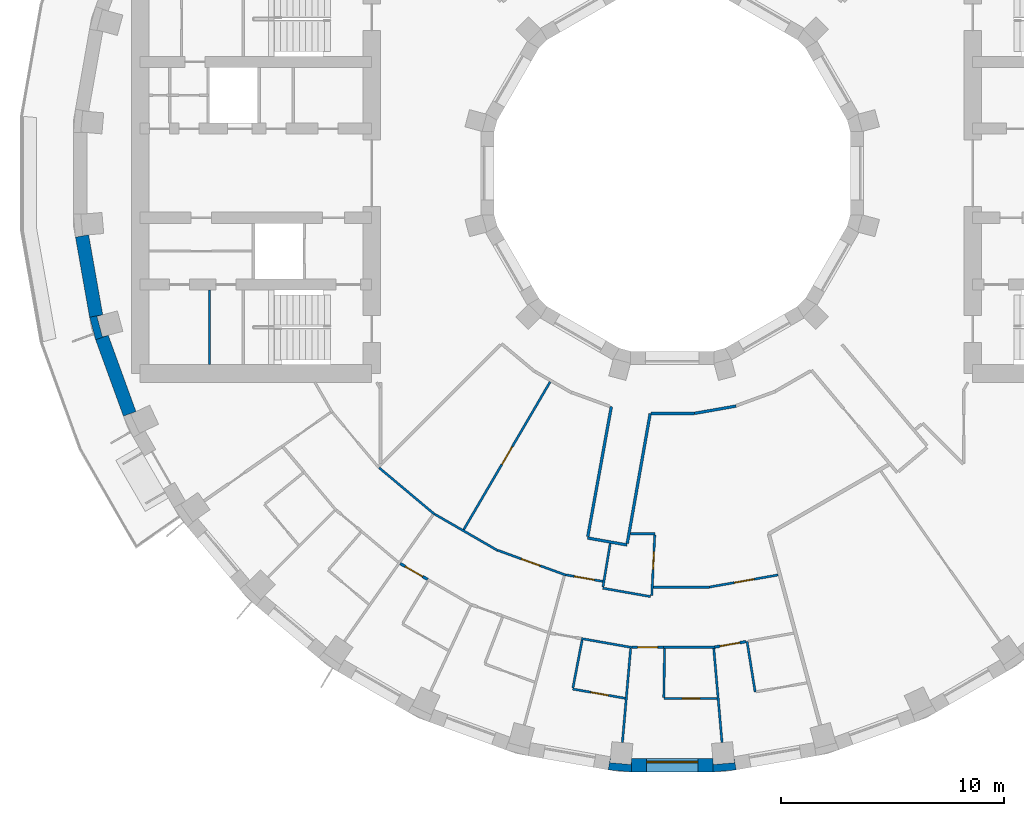
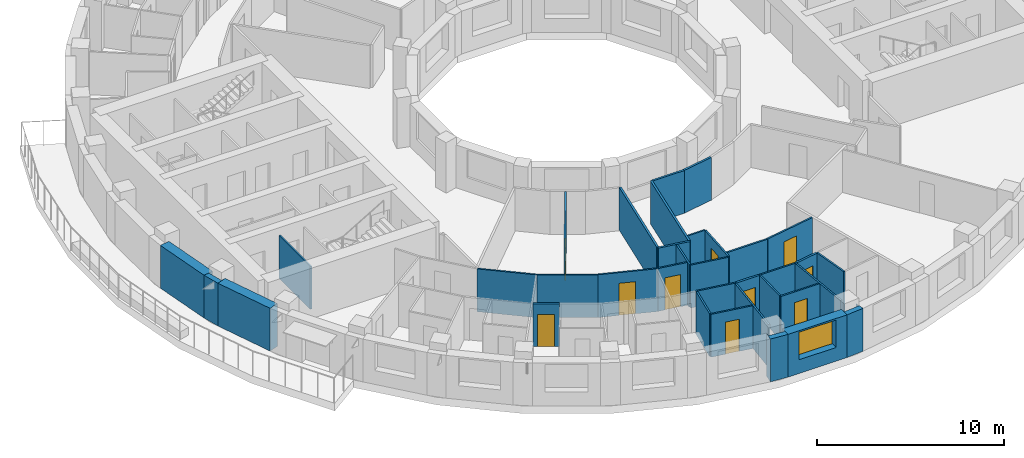
# One storey, part 3 of 13: 35 walls, 10 doors, 1 window, 11 openings.
"""IFC4 building model written with IfcOpenShell, lengths in metres."""

from ifc_helpers import new_model, si_unit, direction, frame, frame_2d, origin, place, context, subcontext, project, spatial, polyline, rectangle, outline, extrude, material, layer, layer_set, type_object, element, fill, save


model = new_model("IFC4")

# Units and contexts
model_context = context("Model", 3, precision=1e-05, world=origin(), true_north=direction((0.0, 1.0)))
body_context = subcontext(model_context, "Body", "Model", "MODEL_VIEW")
ifc_project = project(units=[si_unit("LENGTHUNIT", "METRE"), si_unit("AREAUNIT", "SQUARE_METRE"), si_unit("VOLUMEUNIT", "CUBIC_METRE"), si_unit("PLANEANGLEUNIT", "RADIAN"), si_unit("MASSUNIT", "GRAM", prefix="KILO")], contexts=[model_context])

# Site, building, storey
site_placement = place(None, origin())
site = spatial("IfcSite", under=ifc_project, at=site_placement, CompositionType="ELEMENT")
building_placement = place(site_placement, origin())
building = spatial("IfcBuilding", under=site, at=building_placement, Name="Saqina Gate Tower", CompositionType="ELEMENT")
storey_placement = place(building_placement, frame((0.0, 0.0, 118.300048828125)))
storey = spatial("IfcBuildingStorey", under=building, at=storey_placement, Name="L33", CompositionType="ELEMENT", Elevation=118.300048828125)

# Walls
ifc_material_1 = material(Name="Brick masonry (buff)", Category="masonry")
wall_type_1 = type_object("IfcWallType", Name="BRICK PIER COPING BUFF", PredefinedType="SOLIDWALL", material=ifc_material_1)
wall_1_placement = place(storey_placement, origin())
element("IfcWall", 1, at=wall_1_placement, inside=storey, type_object=wall_type_1, Name="Pier cap L33 column 20", PredefinedType="SOLIDWALL", context=body_context, shape_type="SweptSolid", body=[
    extrude(outline(polyline([(-26.171875, -6.466796875), (-25.89892578125, -7.485595703125), (-25.335205078125, -7.2802734375), (-25.5947265625, -7.349853515625), (-25.8408203125, -6.43212890625), (-25.5810546875, -6.36279296875), (-26.171875, -6.466796875)])), origin(), (0.0, 0.0, 1.0), 2.800048828125),
])
wall_2_placement = place(storey_placement, origin())
element("IfcWall", 2, at=wall_2_placement, inside=storey, type_object=wall_type_1, Name="Pier cap L33 column 27", PredefinedType="SOLIDWALL", context=body_context, shape_type="SweptSolid", body=[
    extrude(outline(polyline([(-2.87451171875, -26.805419921875), (-1.823974609375, -26.897216796875), (-1.823974609375, -26.29736328125), (-1.847412109375, -26.565185546875), (-2.793701171875, -26.482421875), (-2.770263671875, -26.214599609375), (-2.87451171875, -26.805419921875)])), origin(), (0.0, 0.0, 1.0), 2.800048828125),
])
wall_3_placement = place(storey_placement, origin())
element("IfcWall", 3, at=wall_3_placement, inside=storey, type_object=wall_type_1, Name="Pier cap L33 column 28", PredefinedType="SOLIDWALL", context=body_context, shape_type="SweptSolid", body=[
    extrude(outline(polyline([(2.87451171875, -26.805419921875), (2.770263671875, -26.214599609375), (2.793701171875, -26.482421875), (1.847412109375, -26.565185546875), (1.823974609375, -26.29736328125), (1.823974609375, -26.897216796875), (2.87451171875, -26.805419921875)])), origin(), (0.0, 0.0, 1.0), 2.800048828125),
])
ifc_material_2 = material(Name="Gypsum board on steel studs", Category="steel")
ifc_layer_1 = layer(ifc_material_2, 0.10009765625)
ifc_layer_set_1 = layer_set([ifc_layer_1], Name="CORE PARTITION")
wall_type_2 = type_object("IfcWallType", Name="CORE PARTITION", PredefinedType="PARTITIONING", material=ifc_layer_set_1)
wall_4_placement = place(storey_placement, frame((-20.782958984375, -8.60009765625, 0.0), z_axis=(0.0, 0.0, 1.0), x_axis=(0.0, 1.0, 0.0)))
element("IfcWall", 4, at=wall_4_placement, inside=storey, type_object=wall_type_2, Name="L33-CP-W13", PredefinedType="PARTITIONING", context=body_context, shape_type="SweptSolid", body=[
    extrude(rectangle(XDim=3.35009765625, YDim=0.10009765625, at=frame_2d((1.675048828125, 0.0))), origin(), (0.0, 0.0, 1.0), 2.800048828125),
])

# Wall, opening, window
ifc_material_3 = material(Name="Brick masonry (buff)", Category="masonry")
ifc_layer_2 = layer(ifc_material_3, 0.60009765625)
ifc_layer_set_2 = layer_set([ifc_layer_2], Name="FW-BRICK-BUFF")
wall_type_3 = type_object("IfcWallType", Name="FW-BRICK-BUFF", PredefinedType="SOLIDWALL", material=ifc_layer_set_2)
wall_5_placement = place(storey_placement, frame((-1.823974609375, -26.59716796875, 0.0), z_axis=(0.0, 0.0, 1.0), x_axis=(1.0, 0.0, 0.0)))
wall_5 = element("IfcWall", 5, at=wall_5_placement, inside=storey, type_object=wall_type_3, Name="Facade wall L33 facet 27", PredefinedType="SOLIDWALL", context=body_context, shape_type="SweptSolid", body=[
    extrude(rectangle(XDim=3.64794921875, YDim=0.60009765625, at=frame_2d((1.823974609375, 0.0))), origin(), (0.0, 0.0, 1.0), 2.800048828125),
])
opening_1_placement = place(wall_5_placement, frame((0.673828125, 0.0, 0.89990234375)))
opening_1 = element("IfcOpeningElement", 6, at=opening_1_placement, cuts=wall_5, Name="Opening G09-W19", PredefinedType="OPENING", context=body_context, shape_type="SweptSolid", body=[
    extrude(rectangle(XDim=2.300048828125, YDim=1.800048828125, at=frame_2d((1.14990234375, 0.89990234375))), frame((0.0, 0.31201171875, 0.0), z_axis=(0.0, -1.0, 0.0), x_axis=(1.0, 0.0, 0.0)), (0.0, 0.0, 1.0), 0.6240234375),
])
ifc_material_4 = material(Name="Aluminium glazing", Category="aluminium")
window_type = type_object("IfcWindowType", Name="WN-B", PartitioningType="SINGLE_PANEL", PredefinedType="WINDOW", material=ifc_material_4)
window_placement = place(opening_1_placement, origin())
window = element("IfcWindow", 7, at=window_placement, inside=storey, type_object=window_type, Name="Window L33 facet 27", OverallHeight=1.800048828125, OverallWidth=2.300048828125, PartitioningType="SINGLE_PANEL", PredefinedType="WINDOW", context=body_context, shape_type="SweptSolid", body=[
    extrude(rectangle(XDim=2.300048828125, YDim=1.800048828125, at=frame_2d((1.14990234375, 0.89990234375))), frame((0.0, 0.179931640625, 0.0), z_axis=(0.0, -1.0, 0.0), x_axis=(1.0, 0.0, 0.0)), (0.0, 0.0, 1.0), 0.06005859375),
])
fill(opening_1, window)

# Walls
ifc_material_5 = material(Name="Glazed ceramic tile", Category="ceramic")
ifc_layer_3 = layer(ifc_material_5, 0.60009765625)
ifc_layer_set_3 = layer_set([ifc_layer_3], Name="FW-TILE")
wall_type_4 = type_object("IfcWallType", Name="FW-TILE", PredefinedType="SOLIDWALL", material=ifc_layer_set_3)
wall_6_placement = place(storey_placement, frame((-25.616943359375, -7.3828125, 0.0), z_axis=(0.0, 0.0, 1.0), x_axis=(0.341990236633, -0.939703505393, 0.0)))
element("IfcWall", 8, at=wall_6_placement, inside=storey, type_object=wall_type_4, Name="Facade wall L33 facet 20", PredefinedType="SOLIDWALL", context=body_context, shape_type="SweptSolid", body=[
    extrude(rectangle(XDim=3.64794921875, YDim=0.60009765625, at=frame_2d((1.823974609375, 0.0))), origin(), (0.0, 0.0, 1.0), 2.800048828125),
])
ifc_material_6 = material(Name="Glazed ceramic tile (white)", Category="ceramic")
ifc_layer_4 = layer(ifc_material_6, 0.60009765625)
ifc_layer_set_4 = layer_set([ifc_layer_4], Name="FW-TILE-WH")
wall_type_5 = type_object("IfcWallType", Name="FW-TILE-WH", PredefinedType="SOLIDWALL", material=ifc_layer_set_4)
wall_7_placement = place(storey_placement, frame((-26.510009765625, -2.822265625, 0.0), z_axis=(0.0, 0.0, 1.0), x_axis=(0.173670796382, -0.984803764455, 0.0)))
element("IfcWall", 9, at=wall_7_placement, inside=storey, type_object=wall_type_5, Name="Facade wall L33 facet 19", PredefinedType="SOLIDWALL", context=body_context, shape_type="SweptSolid", body=[
    extrude(rectangle(XDim=3.64794921875, YDim=0.60009765625, at=frame_2d((1.823974609375, 0.0))), origin(), (0.0, 0.0, 1.0), 2.800048828125),
])
ifc_material_7 = material(Name="Gypsum board on steel studs, 100 mm", Category="steel")
ifc_layer_5 = layer(ifc_material_7, 0.10009765625)
ifc_layer_set_5 = layer_set([ifc_layer_5], Name="PARTITION 100")
wall_type_6 = type_object("IfcWallType", Name="PARTITION 100", PredefinedType="PARTITIONING", material=ifc_layer_set_5)
wall_8_placement = place(storey_placement, frame((1.866455078125, -21.346923828125, 0.0), z_axis=(0.0, 0.0, 1.0), x_axis=(0.087475042973, -0.996166711378, 0.0)))
element("IfcWall", 10, at=wall_8_placement, inside=storey, type_object=wall_type_6, Name="PARTITION PW3-02", PredefinedType="PARTITIONING", context=body_context, shape_type="SweptSolid", body=[
    extrude(rectangle(XDim=4.23681640625, YDim=0.10009765625, at=frame_2d((2.118408203125, 0.0))), origin(), (0.0, 0.0, 1.0), 2.800048828125),
])
wall_9_placement = place(storey_placement, frame((3.362060546875, -21.032958984375, 0.0), z_axis=(0.0, 0.0, 1.0), x_axis=(0.157853871444, -0.987462482968, 0.0)))
element("IfcWall", 11, at=wall_9_placement, inside=storey, type_object=wall_type_6, Name="PARTITION PW3-04", PredefinedType="PARTITIONING", context=body_context, shape_type="SweptSolid", body=[
    extrude(rectangle(XDim=2.2998046875, YDim=0.10009765625, at=frame_2d((1.14990234375, 0.0))), origin(), (0.0, 0.0, 1.0), 2.800048828125),
])
wall_10_placement = place(storey_placement, frame((-13.163818359375, -13.234130859375, 0.0), z_axis=(0.0, 0.0, 1.0), x_axis=(0.766028328168, -0.642806814248, 0.0)))
element("IfcWall", 12, at=wall_10_placement, inside=storey, type_object=wall_type_6, Name="PARTITION PW3-26", PredefinedType="PARTITIONING", context=body_context, shape_type="SweptSolid", body=[
    extrude(rectangle(XDim=3.25537109375, YDim=0.10009765625, at=frame_2d((1.627685546875, 0.0))), origin(), (0.0, 0.0, 1.0), 2.800048828125),
])
wall_11_placement = place(storey_placement, frame((-10.665771484375, -15.319091796875, 0.0), z_axis=(0.0, 0.0, 1.0), x_axis=(0.866019502567, -0.500010221068, 0.0)))
element("IfcWall", 13, at=wall_11_placement, inside=storey, type_object=wall_type_6, Name="PARTITION PW3-33", PredefinedType="PARTITIONING", context=body_context, shape_type="SweptSolid", body=[
    extrude(rectangle(XDim=3.255859375, YDim=0.10009765625, at=frame_2d((1.6279296875, 0.0))), origin(), (0.0, 0.0, 1.0), 2.800048828125),
])

# Wall, opening, door
wall_12_placement = place(storey_placement, frame((-7.843017578125, -16.93798828125, 0.0), z_axis=(0.0, 0.0, 1.0), x_axis=(0.939697033511, -0.34200801922, 0.0)))
wall_12 = element("IfcWall", 14, at=wall_12_placement, inside=storey, type_object=wall_type_6, Name="PARTITION PW3-40", PredefinedType="PARTITIONING", context=body_context, shape_type="SweptSolid", body=[
    extrude(rectangle(XDim=3.255126953125, YDim=0.10009765625, at=frame_2d((1.62744140625, 0.0))), origin(), (0.0, 0.0, 1.0), 2.800048828125),
])
opening_2_placement = place(wall_12_placement, frame((1.127197265625, 0.0, 0.0)))
opening_2 = element("IfcOpeningElement", 15, at=opening_2_placement, cuts=wall_12, Name="Opening G09-D39", PredefinedType="OPENING", context=body_context, shape_type="SweptSolid", body=[
    extrude(rectangle(XDim=0.89990234375, YDim=2.10009765625, at=frame_2d((0.449951171875, 1.050048828125))), frame((0.0, 0.06201171875, 0.0), z_axis=(0.0, -1.0, 0.0), x_axis=(1.0, 0.0, 0.0)), (0.0, 0.0, 1.0), 0.1240234375),
])
ifc_material_8 = material(Name="Timber door leaf, 900 mm", Category="wood")
door_type_1 = type_object("IfcDoorType", Name="DOOR 900 TIMBER", OperationType="SINGLE_SWING_LEFT", PredefinedType="DOOR", material=ifc_material_8)
door_1_placement = place(opening_2_placement, origin())
door_1 = element("IfcDoor", 16, at=door_1_placement, inside=storey, type_object=door_type_1, Name="DOOR G09-D39", OperationType="SINGLE_SWING_LEFT", OverallHeight=2.10009765625, OverallWidth=0.89990234375, PredefinedType="DOOR", context=body_context, shape_type="SweptSolid", body=[
    extrude(rectangle(XDim=0.89990234375, YDim=2.10009765625, at=frame_2d((0.449951171875, 1.050048828125))), frame((0.0, 0.02490234375, 0.0), z_axis=(0.0, -1.0, 0.0), x_axis=(1.0, 0.0, 0.0)), (0.0, 0.0, 1.0), 0.050048828125),
])
fill(opening_2, door_1)

wall_13_placement = place(storey_placement, frame((-4.469970703125, -23.173095703125, 0.0), z_axis=(0.0, 0.0, 1.0), x_axis=(0.984826665662, -0.173540884522, 0.0)))
wall_13 = element("IfcWall", 17, at=wall_13_placement, inside=storey, type_object=wall_type_6, Name="PARTITION PW3-45", PredefinedType="PARTITIONING", context=body_context, shape_type="SweptSolid", body=[
    extrude(rectangle(XDim=2.39306640625, YDim=0.10009765625, at=frame_2d((1.196533203125, 0.0))), origin(), (0.0, 0.0, 1.0), 2.800048828125),
])
opening_3_placement = place(wall_13_placement, frame((0.821533203125, 0.0, 0.0)))
opening_3 = element("IfcOpeningElement", 18, at=opening_3_placement, cuts=wall_13, Name="Opening G09-D43", PredefinedType="OPENING", context=body_context, shape_type="SweptSolid", body=[
    extrude(rectangle(XDim=0.800048828125, YDim=2.10009765625, at=frame_2d((0.39990234375, 1.050048828125))), frame((0.0, 0.06201171875, 0.0), z_axis=(0.0, -1.0, 0.0), x_axis=(1.0, 0.0, 0.0)), (0.0, 0.0, 1.0), 0.1240234375),
])
ifc_material_9 = material(Name="Timber door leaf, 800 mm", Category="wood")
door_type_2 = type_object("IfcDoorType", Name="DOOR 800 TIMBER", OperationType="SINGLE_SWING_LEFT", PredefinedType="DOOR", material=ifc_material_9)
door_2_placement = place(opening_3_placement, frame((0.800048828125, 0.0, 0.0), z_axis=(0.0, 0.0, 1.0), x_axis=(-1.0, 0.0, 0.0)))
door_2 = element("IfcDoor", 19, at=door_2_placement, inside=storey, type_object=door_type_2, Name="DOOR G09-D43", OperationType="SINGLE_SWING_LEFT", OverallHeight=2.10009765625, OverallWidth=0.800048828125, PredefinedType="DOOR", context=body_context, shape_type="SweptSolid", body=[
    extrude(rectangle(XDim=0.800048828125, YDim=2.10009765625, at=frame_2d((0.39990234375, 1.050048828125))), frame((0.0, 0.02490234375, 0.0), z_axis=(0.0, -1.0, 0.0), x_axis=(1.0, 0.0, 0.0)), (0.0, 0.0, 1.0), 0.050048828125),
])
fill(opening_3, door_2)

# Walls
wall_14_placement = place(storey_placement, frame((-4.084228515625, -20.9052734375, 0.0), z_axis=(0.0, 0.0, 1.0), x_axis=(0.984796344358, -0.173712866935, 0.0)))
element("IfcWall", 20, at=wall_14_placement, inside=storey, type_object=wall_type_6, Name="PARTITION PW3-46", PredefinedType="PARTITIONING", context=body_context, shape_type="SweptSolid", body=[
    extrude(rectangle(XDim=2.306396484375, YDim=0.10009765625, at=frame_2d((1.1533203125, 0.0))), origin(), (0.0, 0.0, 1.0), 2.800048828125),
])
wall_15_placement = place(storey_placement, frame((-3.118896484375, -18.64111328125, 0.0), z_axis=(0.0, 0.0, 1.0), x_axis=(0.984804954455, -0.173664048326, 0.0)))
element("IfcWall", 21, at=wall_15_placement, inside=storey, type_object=wall_type_6, Name="PARTITION PW3-47", PredefinedType="PARTITIONING", context=body_context, shape_type="SweptSolid", body=[
    extrude(rectangle(XDim=2.181884765625, YDim=0.10009765625, at=frame_2d((1.0908203125, 0.0))), origin(), (0.0, 0.0, 1.0), 2.800048828125),
])

# Wall, opening, door
wall_16_placement = place(storey_placement, frame((-4.78271484375, -18.042724609375, 0.0), z_axis=(0.0, 0.0, 1.0), x_axis=(0.98477046178, -0.173859534124, 0.0)))
wall_16 = element("IfcWall", 22, at=wall_16_placement, inside=storey, type_object=wall_type_6, Name="PARTITION PW3-48", PredefinedType="PARTITIONING", context=body_context, shape_type="SweptSolid", body=[
    extrude(rectangle(XDim=1.689208984375, YDim=0.10009765625, at=frame_2d((0.8447265625, 0.0))), origin(), (0.0, 0.0, 1.0), 2.800048828125),
])
opening_4_placement = place(wall_16_placement, frame((0.39453125, 0.0, 0.0)))
opening_4 = element("IfcOpeningElement", 23, at=opening_4_placement, cuts=wall_16, Name="Opening G09-D42", PredefinedType="OPENING", context=body_context, shape_type="SweptSolid", body=[
    extrude(rectangle(XDim=0.89990234375, YDim=2.10009765625, at=frame_2d((0.449951171875, 1.050048828125))), frame((0.0, 0.06201171875, 0.0), z_axis=(0.0, -1.0, 0.0), x_axis=(1.0, 0.0, 0.0)), (0.0, 0.0, 1.0), 0.1240234375),
])
door_3_placement = place(opening_4_placement, origin())
door_3 = element("IfcDoor", 24, at=door_3_placement, inside=storey, type_object=door_type_1, Name="DOOR G09-D42", OperationType="SINGLE_SWING_RIGHT", OverallHeight=2.10009765625, OverallWidth=0.89990234375, PredefinedType="DOOR", context=body_context, shape_type="SweptSolid", body=[
    extrude(rectangle(XDim=0.89990234375, YDim=2.10009765625, at=frame_2d((0.449951171875, 1.050048828125))), frame((0.0, 0.02490234375, 0.0), z_axis=(0.0, -1.0, 0.0), x_axis=(1.0, 0.0, 0.0)), (0.0, 0.0, 1.0), 0.050048828125),
])
fill(opening_4, door_3)

wall_17_placement = place(storey_placement, frame((-0.3779296875, -23.596923828125, 0.0), z_axis=(0.0, 0.0, 1.0), x_axis=(1.0, 0.0, 0.0)))
wall_17 = element("IfcWall", 25, at=wall_17_placement, inside=storey, type_object=wall_type_6, Name="PARTITION PW3-51", PredefinedType="PARTITIONING", context=body_context, shape_type="SweptSolid", body=[
    extrude(rectangle(XDim=2.391845703125, YDim=0.10009765625, at=frame_2d((1.19580078125, 0.0))), origin(), (0.0, 0.0, 1.0), 2.800048828125),
])
opening_5_placement = place(wall_17_placement, frame((0.821044921875, 0.0, 0.0)))
opening_5 = element("IfcOpeningElement", 26, at=opening_5_placement, cuts=wall_17, Name="Opening G09-D46", PredefinedType="OPENING", context=body_context, shape_type="SweptSolid", body=[
    extrude(rectangle(XDim=0.800048828125, YDim=2.10009765625, at=frame_2d((0.39990234375, 1.050048828125))), frame((0.0, 0.06201171875, 0.0), z_axis=(0.0, -1.0, 0.0), x_axis=(1.0, 0.0, 0.0)), (0.0, 0.0, 1.0), 0.1240234375),
])
door_4_placement = place(opening_5_placement, frame((0.800048828125, 0.0, 0.0), z_axis=(0.0, 0.0, 1.0), x_axis=(-1.0, 0.0, 0.0)))
door_4 = element("IfcDoor", 27, at=door_4_placement, inside=storey, type_object=door_type_2, Name="DOOR G09-D46", OperationType="SINGLE_SWING_LEFT", OverallHeight=2.10009765625, OverallWidth=0.800048828125, PredefinedType="DOOR", context=body_context, shape_type="SweptSolid", body=[
    extrude(rectangle(XDim=0.800048828125, YDim=2.10009765625, at=frame_2d((0.39990234375, 1.050048828125))), frame((0.0, 0.02490234375, 0.0), z_axis=(0.0, -1.0, 0.0), x_axis=(1.0, 0.0, 0.0)), (0.0, 0.0, 1.0), 0.050048828125),
])
fill(opening_5, door_4)

# Walls
wall_18_placement = place(storey_placement, frame((-0.39111328125, -21.297119140625, 0.0), z_axis=(0.0, 0.0, 1.0), x_axis=(1.0, 0.0, 0.0)))
element("IfcWall", 28, at=wall_18_placement, inside=storey, type_object=wall_type_6, Name="PARTITION PW3-52", PredefinedType="PARTITIONING", context=body_context, shape_type="SweptSolid", body=[
    extrude(rectangle(XDim=2.304931640625, YDim=0.10009765625, at=frame_2d((1.15234375, 0.0))), origin(), (0.0, 0.0, 1.0), 2.800048828125),
])
wall_19_placement = place(storey_placement, frame((-0.84912109375, -18.59912109375, 0.0), z_axis=(0.0, 0.0, 1.0), x_axis=(1.0, 0.0, 0.0)))
element("IfcWall", 29, at=wall_19_placement, inside=storey, type_object=wall_type_6, Name="PARTITION PW3-53", PredefinedType="PARTITIONING", context=body_context, shape_type="SweptSolid", body=[
    extrude(rectangle(XDim=2.52685546875, YDim=0.10009765625, at=frame_2d((1.263427734375, 0.0))), origin(), (0.0, 0.0, 1.0), 2.800048828125),
])
wall_20_placement = place(storey_placement, frame((-1.880615234375, -16.201904296875, 0.0), z_axis=(0.0, 0.0, 1.0), x_axis=(1.0, 0.0, 0.0)))
element("IfcWall", 30, at=wall_20_placement, inside=storey, type_object=wall_type_6, Name="PARTITION PW3-54", PredefinedType="PARTITIONING", context=body_context, shape_type="SweptSolid", body=[
    extrude(rectangle(XDim=1.09765625, YDim=0.10009765625, at=frame_2d((0.548828125, 0.0))), origin(), (0.0, 0.0, 1.0), 2.800048828125),
])

# Wall, opening, door
wall_21_placement = place(storey_placement, frame((1.67626953125, -18.59033203125, 0.0), z_axis=(0.0, 0.0, 1.0), x_axis=(0.984818097546, 0.173589500677, 0.0)))
wall_21 = element("IfcWall", 31, at=wall_21_placement, inside=storey, type_object=wall_type_6, Name="PARTITION PW3-60", PredefinedType="PARTITIONING", context=body_context, shape_type="SweptSolid", body=[
    extrude(rectangle(XDim=3.12939453125, YDim=0.10009765625, at=frame_2d((1.564697265625, 0.0))), origin(), (0.0, 0.0, 1.0), 2.800048828125),
])
opening_6_placement = place(wall_21_placement, frame((1.127197265625, 0.0, 0.0)))
opening_6 = element("IfcOpeningElement", 32, at=opening_6_placement, cuts=wall_21, Name="Opening G09-D48", PredefinedType="OPENING", context=body_context, shape_type="SweptSolid", body=[
    extrude(rectangle(XDim=0.89990234375, YDim=2.10009765625, at=frame_2d((0.449951171875, 1.050048828125))), frame((0.0, 0.06201171875, 0.0), z_axis=(0.0, -1.0, 0.0), x_axis=(1.0, 0.0, 0.0)), (0.0, 0.0, 1.0), 0.1240234375),
])
door_5_placement = place(opening_6_placement, origin())
door_5 = element("IfcDoor", 33, at=door_5_placement, inside=storey, type_object=door_type_1, Name="DOOR G09-D48", OperationType="SINGLE_SWING_RIGHT", OverallHeight=2.10009765625, OverallWidth=0.89990234375, PredefinedType="DOOR", context=body_context, shape_type="SweptSolid", body=[
    extrude(rectangle(XDim=0.89990234375, YDim=2.10009765625, at=frame_2d((0.449951171875, 1.050048828125))), frame((0.0, 0.02490234375, 0.0), z_axis=(0.0, -1.0, 0.0), x_axis=(1.0, 0.0, 0.0)), (0.0, 0.0, 1.0), 0.050048828125),
])
fill(opening_6, door_5)

wall_22_placement = place(storey_placement, frame((-9.36572265625, -16.01171875, 0.0), z_axis=(0.0, 0.0, 1.0), x_axis=(0.504907426376, 0.863173499819, 0.0)))
wall_22 = element("IfcWall", 34, at=wall_22_placement, inside=storey, type_object=wall_type_6, Name="PARTITION PW3-86", PredefinedType="PARTITIONING", context=body_context, shape_type="SweptSolid", body=[
    extrude(rectangle(XDim=7.686767578125, YDim=0.10009765625, at=frame_2d((3.84326171875, 0.0))), origin(), (0.0, 0.0, 1.0), 2.800048828125),
])
opening_7_placement = place(wall_22_placement, frame((3.400390625, 0.0, 0.0)))
opening_7 = element("IfcOpeningElement", 35, at=opening_7_placement, cuts=wall_22, Name="Opening G09-D36", PredefinedType="OPENING", context=body_context, shape_type="SweptSolid", body=[
    extrude(rectangle(XDim=0.89990234375, YDim=2.10009765625, at=frame_2d((0.449951171875, 1.050048828125))), frame((0.0, 0.06201171875, 0.0), z_axis=(0.0, -1.0, 0.0), x_axis=(1.0, 0.0, 0.0)), (0.0, 0.0, 1.0), 0.1240234375),
])
door_6_placement = place(opening_7_placement, frame((0.89990234375, 0.0, 0.0), z_axis=(0.0, 0.0, 1.0), x_axis=(-1.0, 0.0, 0.0)))
door_6 = element("IfcDoor", 36, at=door_6_placement, inside=storey, type_object=door_type_1, Name="DOOR G09-D36", OperationType="SINGLE_SWING_LEFT", OverallHeight=2.10009765625, OverallWidth=0.89990234375, PredefinedType="DOOR", context=body_context, shape_type="SweptSolid", body=[
    extrude(rectangle(XDim=0.89990234375, YDim=2.10009765625, at=frame_2d((0.449951171875, 1.050048828125))), frame((0.0, 0.02490234375, 0.0), z_axis=(0.0, -1.0, 0.0), x_axis=(1.0, 0.0, 0.0)), (0.0, 0.0, 1.0), 0.050048828125),
])
fill(opening_7, door_6)

# Walls
wall_23_placement = place(storey_placement, frame((-4.46044921875, -23.1240234375, 0.0), z_axis=(0.0, 0.0, 1.0), x_axis=(0.189008785522, 0.981975396329, 0.0)))
element("IfcWall", 37, at=wall_23_placement, inside=storey, type_object=wall_type_6, Name="PARTITION PW3-100", PredefinedType="PARTITIONING", context=body_context, shape_type="SweptSolid", body=[
    extrude(rectangle(XDim=2.188232421875, YDim=0.10009765625, at=frame_2d((1.09423828125, 0.0))), origin(), (0.0, 0.0, 1.0), 2.800048828125),
])
wall_24_placement = place(storey_placement, frame((-3.110595703125, -18.590576171875, 0.0), z_axis=(0.0, 0.0, 1.0), x_axis=(0.164837501203, 0.986320737994, 0.0)))
element("IfcWall", 38, at=wall_24_placement, inside=storey, type_object=wall_type_6, Name="PARTITION PW3-101", PredefinedType="PARTITIONING", context=body_context, shape_type="SweptSolid", body=[
    extrude(rectangle(XDim=1.986083984375, YDim=0.10009765625, at=frame_2d((0.9931640625, 0.0))), origin(), (0.0, 0.0, 1.0), 2.800048828125),
])
wall_25_placement = place(storey_placement, frame((-2.237060546875, -25.5673828125, 0.0), z_axis=(0.0, 0.0, 1.0), x_axis=(0.087445126958, 0.9961693379, 0.0)))
element("IfcWall", 39, at=wall_25_placement, inside=storey, type_object=wall_type_6, Name="PARTITION PW3-103", PredefinedType="PARTITIONING", context=body_context, shape_type="SweptSolid", body=[
    extrude(rectangle(XDim=4.22412109375, YDim=0.10009765625, at=frame_2d((2.112060546875, 0.0))), origin(), (0.0, 0.0, 1.0), 2.800048828125),
])

# Wall, opening, door
wall_26_placement = place(storey_placement, frame((-0.917724609375, -18.97900390625, 0.0), z_axis=(0.0, 0.0, 1.0), x_axis=(0.049018559161, 0.998797867868, 0.0)))
wall_26 = element("IfcWall", 40, at=wall_26_placement, inside=storey, type_object=wall_type_6, Name="PARTITION PW3-105", PredefinedType="PARTITIONING", context=body_context, shape_type="SweptSolid", body=[
    extrude(rectangle(XDim=2.729248046875, YDim=0.10009765625, at=frame_2d((1.36474609375, 0.0))), origin(), (0.0, 0.0, 1.0), 2.800048828125),
])
opening_8_placement = place(wall_26_placement, frame((1.179443359375, 0.0, 0.0)))
opening_8 = element("IfcOpeningElement", 41, at=opening_8_placement, cuts=wall_26, Name="Opening G09-D45", PredefinedType="OPENING", context=body_context, shape_type="SweptSolid", body=[
    extrude(rectangle(XDim=0.800048828125, YDim=2.10009765625, at=frame_2d((0.39990234375, 1.050048828125))), frame((0.0, 0.06201171875, 0.0), z_axis=(0.0, -1.0, 0.0), x_axis=(1.0, 0.0, 0.0)), (0.0, 0.0, 1.0), 0.1240234375),
])
door_7_placement = place(opening_8_placement, frame((0.800048828125, 0.0, 0.0), z_axis=(0.0, 0.0, 1.0), x_axis=(-1.0, 0.0, 0.0)))
door_7 = element("IfcDoor", 42, at=door_7_placement, inside=storey, type_object=door_type_2, Name="DOOR G09-D45", OperationType="SINGLE_SWING_LEFT", OverallHeight=2.10009765625, OverallWidth=0.800048828125, PredefinedType="DOOR", context=body_context, shape_type="SweptSolid", body=[
    extrude(rectangle(XDim=0.800048828125, YDim=2.10009765625, at=frame_2d((0.39990234375, 1.050048828125))), frame((0.0, 0.02490234375, 0.0), z_axis=(0.0, -1.0, 0.0), x_axis=(1.0, 0.0, 0.0)), (0.0, 0.0, 1.0), 0.050048828125),
])
fill(opening_8, door_7)

# Wall
wall_27_placement = place(storey_placement, frame((-0.377197265625, -23.547119140625, 0.0), z_axis=(0.0, 0.0, 1.0), x_axis=(0.016067560631, 0.999870908415, 0.0)))
element("IfcWall", 43, at=wall_27_placement, inside=storey, type_object=wall_type_6, Name="PARTITION PW3-106", PredefinedType="PARTITIONING", context=body_context, shape_type="SweptSolid", body=[
    extrude(rectangle(XDim=2.18798828125, YDim=0.10009765625, at=frame_2d((1.093994140625, 0.0))), origin(), (0.0, 0.0, 1.0), 2.800048828125),
])

# Wall, opening, door
ifc_material_10 = material(Name="Gypsum board on steel studs, 125 mm, fire rated", Category="steel")
ifc_layer_6 = layer(ifc_material_10, 0.125)
ifc_layer_set_6 = layer_set([ifc_layer_6], Name="PARTITION EI 30 125")
wall_type_7 = type_object("IfcWallType", Name="PARTITION EI 30 125", PredefinedType="PARTITIONING", material=ifc_layer_set_6)
wall_28_placement = place(storey_placement, frame((-12.21875, -17.537109375, 0.0), z_axis=(0.0, 0.0, 1.0), x_axis=(0.866036909293, -0.499980071345, 0.0)))
wall_28 = element("IfcWall", 44, at=wall_28_placement, inside=storey, type_object=wall_type_7, Name="PARTITION PW1-11", PredefinedType="PARTITIONING", context=body_context, shape_type="SweptSolid", body=[
    extrude(rectangle(XDim=1.421875, YDim=0.125, at=frame_2d((0.7109375, 0.0))), origin(), (0.0, 0.0, 1.0), 2.800048828125),
])
opening_9_placement = place(wall_28_placement, frame((0.260986328125, 0.0, 0.0)))
opening_9 = element("IfcOpeningElement", 45, at=opening_9_placement, cuts=wall_28, Name="Opening G09-D35", PredefinedType="OPENING", context=body_context, shape_type="SweptSolid", body=[
    extrude(rectangle(XDim=0.89990234375, YDim=2.10009765625, at=frame_2d((0.449951171875, 1.050048828125))), frame((0.0, 0.074462890625, 0.0), z_axis=(0.0, -1.0, 0.0), x_axis=(1.0, 0.0, 0.0)), (0.0, 0.0, 1.0), 0.14892578125),
])
ifc_material_11 = material(Name="Fire door leaf EI 30, 900 mm")
door_type_3 = type_object("IfcDoorType", Name="DOOR 900 EI 30", OperationType="SINGLE_SWING_LEFT", PredefinedType="DOOR", material=ifc_material_11)
door_8_placement = place(opening_9_placement, origin())
door_8 = element("IfcDoor", 46, at=door_8_placement, inside=storey, type_object=door_type_3, Name="DOOR G09-D35", OperationType="SINGLE_SWING_LEFT", OverallHeight=2.10009765625, OverallWidth=0.89990234375, PredefinedType="DOOR", context=body_context, shape_type="SweptSolid", body=[
    extrude(rectangle(XDim=0.89990234375, YDim=2.10009765625, at=frame_2d((0.449951171875, 1.050048828125))), frame((0.0, 0.02490234375, 0.0), z_axis=(0.0, -1.0, 0.0), x_axis=(1.0, 0.0, 0.0)), (0.0, 0.0, 1.0), 0.050048828125),
])
fill(opening_9, door_8)

# Wall
wall_29_placement = place(storey_placement, frame((-3.803955078125, -16.387939453125, 0.0), z_axis=(0.0, 0.0, 1.0), x_axis=(0.984772635564, -0.173847220985, 0.0)))
element("IfcWall", 47, at=wall_29_placement, inside=storey, type_object=wall_type_7, Name="PARTITION PW1-20", PredefinedType="PARTITIONING", context=body_context, shape_type="SweptSolid", body=[
    extrude(rectangle(XDim=1.80029296875, YDim=0.125, at=frame_2d((0.900146484375, 0.0))), origin(), (0.0, 0.0, 1.0), 2.800048828125),
])

# Wall, opening, door
wall_30_placement = place(storey_placement, frame((-1.81298828125, -21.297119140625, 0.0), z_axis=(0.0, 0.0, 1.0), x_axis=(1.0, 0.0, 0.0)))
wall_30 = element("IfcWall", 48, at=wall_30_placement, inside=storey, type_object=wall_type_7, Name="PARTITION PW1-23", PredefinedType="PARTITIONING", context=body_context, shape_type="SweptSolid", body=[
    extrude(rectangle(XDim=1.421875, YDim=0.125, at=frame_2d((0.7109375, 0.0))), origin(), (0.0, 0.0, 1.0), 2.800048828125),
])
opening_10_placement = place(wall_30_placement, frame((0.260986328125, 0.0, 0.0)))
opening_10 = element("IfcOpeningElement", 49, at=opening_10_placement, cuts=wall_30, Name="Opening G09-D44", PredefinedType="OPENING", context=body_context, shape_type="SweptSolid", body=[
    extrude(rectangle(XDim=0.89990234375, YDim=2.10009765625, at=frame_2d((0.449951171875, 1.050048828125))), frame((0.0, 0.074462890625, 0.0), z_axis=(0.0, -1.0, 0.0), x_axis=(1.0, 0.0, 0.0)), (0.0, 0.0, 1.0), 0.14892578125),
])
door_9_placement = place(opening_10_placement, origin())
door_9 = element("IfcDoor", 50, at=door_9_placement, inside=storey, type_object=door_type_3, Name="DOOR G09-D44", OperationType="SINGLE_SWING_LEFT", OverallHeight=2.10009765625, OverallWidth=0.89990234375, PredefinedType="DOOR", context=body_context, shape_type="SweptSolid", body=[
    extrude(rectangle(XDim=0.89990234375, YDim=2.10009765625, at=frame_2d((0.449951171875, 1.050048828125))), frame((0.0, 0.02490234375, 0.0), z_axis=(0.0, -1.0, 0.0), x_axis=(1.0, 0.0, 0.0)), (0.0, 0.0, 1.0), 0.050048828125),
])
fill(opening_10, door_9)

# Wall
wall_31_placement = place(storey_placement, frame((-0.945068359375, -10.800048828125, 0.0), z_axis=(0.0, 0.0, 1.0), x_axis=(1.0, 0.0, 0.0)))
element("IfcWall", 51, at=wall_31_placement, inside=storey, type_object=wall_type_7, Name="PARTITION PW1-24", PredefinedType="PARTITIONING", context=body_context, shape_type="SweptSolid", body=[
    extrude(rectangle(XDim=1.95361328125, YDim=0.125, at=frame_2d((0.976806640625, 0.0))), origin(), (0.0, 0.0, 1.0), 2.800048828125),
])

# Wall, opening, door
wall_32_placement = place(storey_placement, frame((1.912353515625, -21.288330078125, 0.0), z_axis=(0.0, 0.0, 1.0), x_axis=(0.984849170905, 0.173413121097, 0.0)))
wall_32 = element("IfcWall", 52, at=wall_32_placement, inside=storey, type_object=wall_type_7, Name="PARTITION PW1-28", PredefinedType="PARTITIONING", context=body_context, shape_type="SweptSolid", body=[
    extrude(rectangle(XDim=1.421875, YDim=0.125, at=frame_2d((0.7109375, 0.0))), origin(), (0.0, 0.0, 1.0), 2.800048828125),
])
opening_11_placement = place(wall_32_placement, frame((0.2373046875, 0.0, 0.0)))
opening_11 = element("IfcOpeningElement", 53, at=opening_11_placement, cuts=wall_32, Name="Opening G09-D47", PredefinedType="OPENING", context=body_context, shape_type="SweptSolid", body=[
    extrude(rectangle(XDim=0.89990234375, YDim=2.10009765625, at=frame_2d((0.449951171875, 1.050048828125))), frame((0.0, 0.074462890625, 0.0), z_axis=(0.0, -1.0, 0.0), x_axis=(1.0, 0.0, 0.0)), (0.0, 0.0, 1.0), 0.14892578125),
])
door_10_placement = place(opening_11_placement, origin())
door_10 = element("IfcDoor", 54, at=door_10_placement, inside=storey, type_object=door_type_3, Name="DOOR G09-D47", OperationType="SINGLE_SWING_LEFT", OverallHeight=2.10009765625, OverallWidth=0.89990234375, PredefinedType="DOOR", context=body_context, shape_type="SweptSolid", body=[
    extrude(rectangle(XDim=0.89990234375, YDim=2.10009765625, at=frame_2d((0.449951171875, 1.050048828125))), frame((0.0, 0.02490234375, 0.0), z_axis=(0.0, -1.0, 0.0), x_axis=(1.0, 0.0, 0.0)), (0.0, 0.0, 1.0), 0.050048828125),
])
fill(opening_11, door_10)

# Walls
wall_33_placement = place(storey_placement, frame((1.006591796875, -10.7890625, 0.0), z_axis=(0.0, 0.0, 1.0), x_axis=(0.984818645033, 0.173586394613, 0.0)))
element("IfcWall", 55, at=wall_33_placement, inside=storey, type_object=wall_type_7, Name="PARTITION PW1-29", PredefinedType="PARTITIONING", context=body_context, shape_type="SweptSolid", body=[
    extrude(rectangle(XDim=1.890380859375, YDim=0.125, at=frame_2d((0.9453125, 0.0))), origin(), (0.0, 0.0, 1.0), 2.800048828125),
])
wall_34_placement = place(storey_placement, frame((-3.79296875, -16.325439453125, 0.0), z_axis=(0.0, 0.0, 1.0), x_axis=(0.178389527964, 0.983959946498, 0.0)))
element("IfcWall", 56, at=wall_34_placement, inside=storey, type_object=wall_type_7, Name="PARTITION PW1-47", PredefinedType="PARTITIONING", context=body_context, shape_type="SweptSolid", body=[
    extrude(rectangle(XDim=5.935546875, YDim=0.125, at=frame_2d((2.9677734375, 0.0))), origin(), (0.0, 0.0, 1.0), 2.800048828125),
])
wall_35_placement = place(storey_placement, frame((-2.020263671875, -16.639404296875, 0.0), z_axis=(0.0, 0.0, 1.0), x_axis=(0.17368681293, 0.984800939791, 0.0)))
element("IfcWall", 57, at=wall_35_placement, inside=storey, type_object=wall_type_7, Name="PARTITION PW1-48", PredefinedType="PARTITIONING", context=body_context, shape_type="SweptSolid", body=[
    extrude(rectangle(XDim=5.9375, YDim=0.125, at=frame_2d((2.96875, 0.0))), origin(), (0.0, 0.0, 1.0), 2.800048828125),
])

save(model, "model.ifc")
